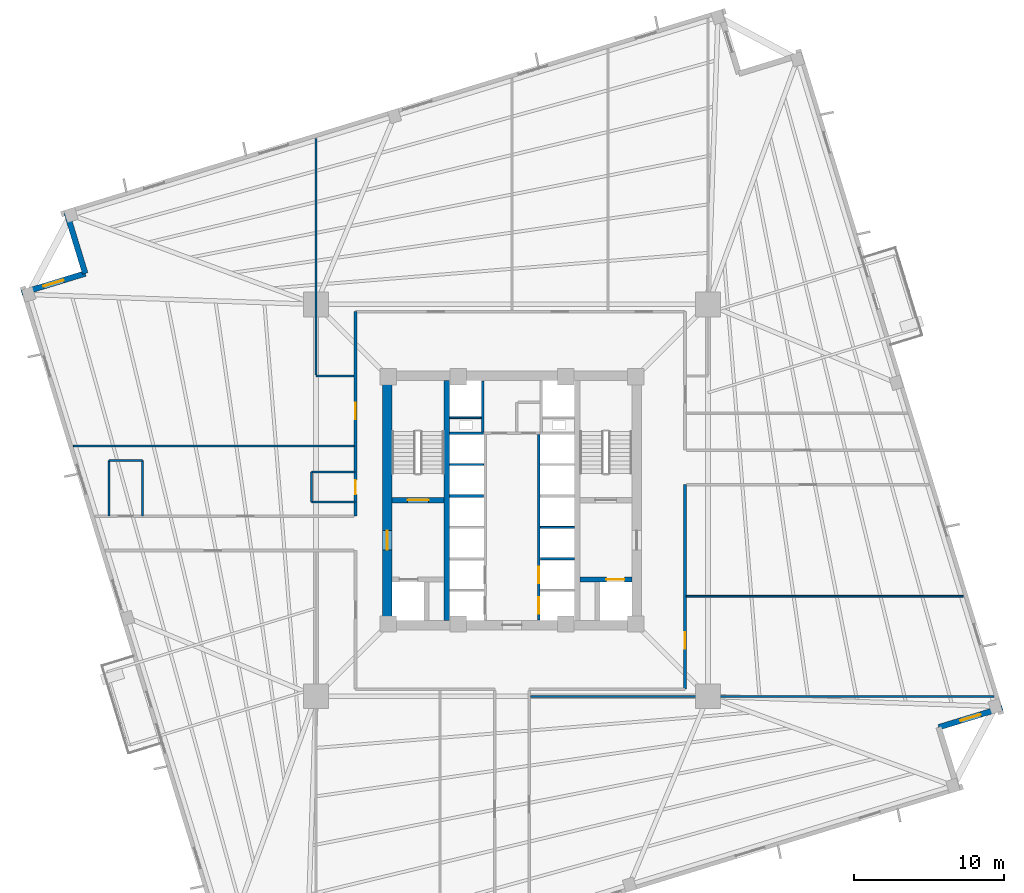
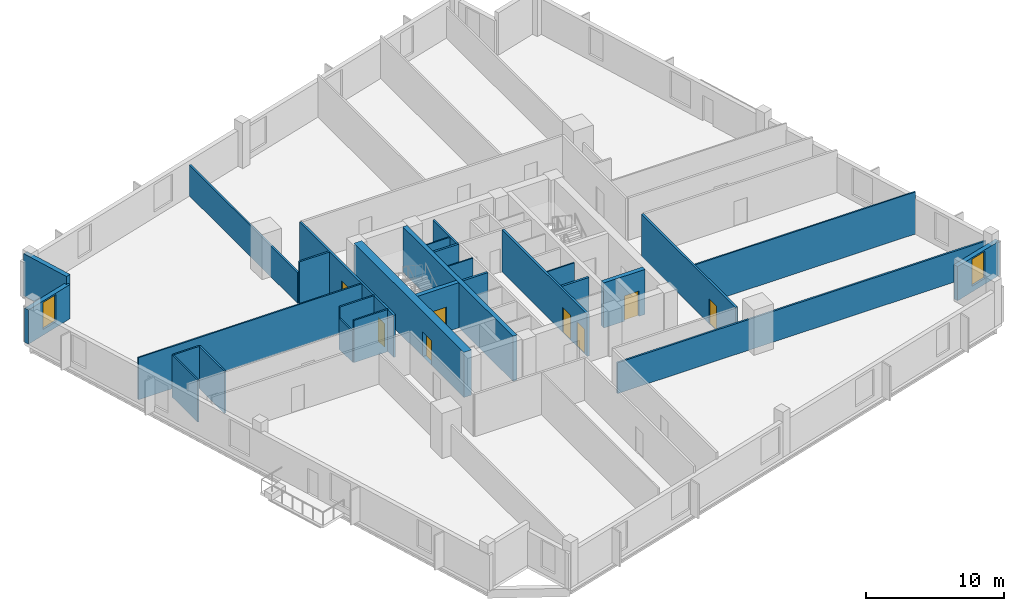
# One storey, part 4 of 9: 28 walls, 8 doors, 2 windows, 10 openings.
"""IFC4 building model written with IfcOpenShell, lengths in metres."""

from ifc_helpers import new_model, si_unit, direction, frame, frame_2d, origin, place, context, subcontext, project, spatial, rectangle, extrude, source, transform, mapped, material, layer, layer_set, type_object, element, fill, save


model = new_model("IFC4")

# Units and contexts
model_context = context("Model", 3, precision=1e-05, world=origin(), true_north=direction((0.0, 1.0)))
body_context = subcontext(model_context, "Body", "Model", "MODEL_VIEW")
ifc_project = project(units=[si_unit("LENGTHUNIT", "METRE"), si_unit("AREAUNIT", "SQUARE_METRE"), si_unit("VOLUMEUNIT", "CUBIC_METRE"), si_unit("PLANEANGLEUNIT", "RADIAN"), si_unit("MASSUNIT", "GRAM", prefix="KILO"), si_unit("THERMODYNAMICTEMPERATUREUNIT", "KELVIN")], contexts=[model_context])

# Site, building, storey
site_placement = place(None, origin())
site = spatial("IfcSite", under=ifc_project, at=site_placement, CompositionType="ELEMENT")
building_placement = place(site_placement, origin())
building = spatial("IfcBuilding", under=site, at=building_placement, Name="Kosmvard Interchange Tower", CompositionType="ELEMENT")
storey_placement = place(building_placement, frame((0.0, 0.0, 119.199951171875)))
storey = spatial("IfcBuildingStorey", under=building, at=storey_placement, Name="L28", CompositionType="ELEMENT", Elevation=119.199951171875)

# Walls
ifc_material_1 = material(Name="Acoustic gypsum partition system")
ifc_layer_1 = layer(ifc_material_1, 0.14990234375, Name="Acoustic gypsum partition system")
ifc_layer_set_1 = layer_set([ifc_layer_1], Name="Acoustic gypsum partition system")
wall_type_1 = type_object("IfcWallType", Name="Acoustic Suite & Meeting Partition 150", PredefinedType="PARTITIONING", material=ifc_layer_set_1)
wall_1_placement = place(storey_placement, frame((-10.544921875, 8.300048828125, 0.0), z_axis=(0.0, 0.0, 1.0), x_axis=(-1.0, 0.0, 0.0)))
element("IfcWall", 1, at=wall_1_placement, inside=storey, type_object=wall_type_1, Name="L28 Room Partition 01.1", PredefinedType="PARTITIONING", context=body_context, shape_type="SweptSolid", body=[
    extrude(rectangle(XDim=2.5361328125, YDim=0.14990234375, at=frame_2d((1.26806640625, 0.0))), origin(), (0.0, 0.0, 1.0), 3.739990234375),
])
wall_2_placement = place(storey_placement, frame((-13.0810546875, 8.375, 0.0), z_axis=(0.0, 0.0, 1.0), x_axis=(0.0, 1.0, 0.0)))
element("IfcWall", 2, at=wall_2_placement, inside=storey, type_object=wall_type_1, Name="L28 Room Partition 02.1", PredefinedType="PARTITIONING", context=body_context, shape_type="SweptSolid", body=[
    extrude(rectangle(XDim=15.79150390625, YDim=0.14990234375, at=frame_2d((7.895751953125, 0.0))), origin(), (0.0, 0.0, 1.0), 2.73193359375),
])
wall_3_placement = place(storey_placement, frame((1.2451171875, -13.0810546875, 0.0), z_axis=(0.0, 0.0, 1.0), x_axis=(1.0, 0.0, 0.0)))
element("IfcWall", 3, at=wall_3_placement, inside=storey, type_object=wall_type_1, Name="L28 Room Partition 09.1", PredefinedType="PARTITIONING", context=body_context, shape_type="SweptSolid", body=[
    extrude(rectangle(XDim=30.919921875, YDim=0.14990234375, at=frame_2d((15.4599609375, 0.0))), origin(), (0.0, 0.0, 1.0), 2.73193359375),
])
ifc_material_2 = material(Name="Fire-rated gypsum partition system")
ifc_layer_2 = layer(ifc_material_2, 0.159912109375, Name="Fire-rated gypsum partition system")
ifc_layer_set_2 = layer_set([ifc_layer_2], Name="Fire-rated gypsum partition system")
wall_type_2 = type_object("IfcWallType", Name="Core Compartment & Shuttle Lobby Partition 160", PredefinedType="PARTITIONING", material=ifc_layer_set_2)
wall_4_placement = place(storey_placement, frame((-1.9599609375, 4.580078125, 0.0), z_axis=(0.0, 0.0, 1.0), x_axis=(0.0, 1.0, 0.0)))
element("IfcWall", 4, at=wall_4_placement, inside=storey, type_object=wall_type_2, Name="L28 North Core West Wall", PredefinedType="PARTITIONING", context=body_context, shape_type="SweptSolid", body=[
    extrude(rectangle(XDim=3.39990234375, YDim=0.159912109375, at=frame_2d((1.699951171875, 0.0))), origin(), (0.0, 0.0, 1.0), 3.739990234375),
])

# Wall, openings, doors
ifc_layer_3 = layer(ifc_material_2, 0.179931640625, Name="Fire-rated gypsum partition system")
ifc_layer_set_3 = layer_set([ifc_layer_3], Name="Fire-rated gypsum partition system")
wall_type_3 = type_object("IfcWallType", Name="Corridor & Hotel Compartment Partition 180", PredefinedType="PARTITIONING", material=ifc_layer_set_3)
wall_5_placement = place(storey_placement, frame((1.7900390625, -7.97998046875, 0.0), z_axis=(0.0, 0.0, 1.0), x_axis=(0.0, 1.0, 0.0)))
wall_5 = element("IfcWall", 5, at=wall_5_placement, inside=storey, type_object=wall_type_3, Name="L28 East Lift Bank Front Wall", PredefinedType="PARTITIONING", context=body_context, shape_type="SweptSolid", body=[
    extrude(rectangle(XDim=12.3798828125, YDim=0.179931640625, at=frame_2d((6.18994140625, 0.0))), origin(), (0.0, 0.0, 1.0), 3.739990234375),
])
opening_1_placement = place(wall_5_placement, frame((0.39990234375, 0.0, 0.0)))
opening_1 = element("IfcOpeningElement", 6, at=opening_1_placement, cuts=wall_5, Name="Opening LD-PL-L3-L28", PredefinedType="OPENING", context=body_context, shape_type="SweptSolid", body=[
    extrude(rectangle(XDim=1.10009765625, YDim=2.199951171875, at=frame_2d((0.550048828125, 1.10009765625))), frame((0.0, 0.10009765625, 0.0), z_axis=(0.0, -1.0, 0.0), x_axis=(1.0, 0.0, 0.0)), (0.0, 0.0, 1.0), 0.199951171875),
])
opening_2_placement = place(wall_5_placement, frame((2.4599609375, 0.0, 0.0)))
opening_2 = element("IfcOpeningElement", 7, at=opening_2_placement, cuts=wall_5, Name="Opening LD-PL-L4-L28", PredefinedType="OPENING", context=body_context, shape_type="SweptSolid", body=[
    extrude(rectangle(XDim=1.10009765625, YDim=2.199951171875, at=frame_2d((0.550048828125, 1.10009765625))), frame((0.0, 0.10009765625, 0.0), z_axis=(0.0, -1.0, 0.0), x_axis=(1.0, 0.0, 0.0)), (0.0, 0.0, 1.0), 0.199951171875),
])
ifc_material_3 = material(Name="Brushed stainless steel sliding leaf", Category="steel")
door_type_1 = type_object("IfcDoorType", Name="Passenger Lift Sliding Landing Door 1100x2200 EI60", OperationType="DOUBLE_DOOR_SLIDING", PredefinedType="DOOR", material=ifc_material_3)
shared_shape_1 = source(origin(), body_context, "Body", "SweptSolid", [
    extrude(rectangle(XDim=1.10009765625, YDim=2.199951171875, at=frame_2d((0.550048828125, 1.10009765625))), frame((0.0, 0.02490234375, 0.0), z_axis=(0.0, -1.0, 0.0), x_axis=(1.0, 0.0, 0.0)), (0.0, 0.0, 1.0), 0.050048828125),
])
door_1_placement = place(opening_1_placement, origin())
door_1 = element("IfcDoor", 8, at=door_1_placement, inside=storey, type_object=door_type_1, Name="Lift PL-L3 Landing Door L28", OperationType="DOUBLE_DOOR_SLIDING", OverallHeight=2.199951171875, OverallWidth=1.10009765625, PredefinedType="DOOR", context=body_context, shape_type="MappedRepresentation", body=[
    mapped(shared_shape_1, transform((0.0, 0.0, 0.0), scale=1.0)),
])
fill(opening_1, door_1)
door_2_placement = place(opening_2_placement, origin())
door_2 = element("IfcDoor", 9, at=door_2_placement, inside=storey, type_object=door_type_1, Name="Lift PL-L4 Landing Door L28", OperationType="DOUBLE_DOOR_SLIDING", OverallHeight=2.199951171875, OverallWidth=1.10009765625, PredefinedType="DOOR", context=body_context, shape_type="MappedRepresentation", body=[
    mapped(shared_shape_1, transform((0.0, 0.0, 0.0), scale=1.0)),
])
fill(opening_2, door_2)

wall_6_placement = place(storey_placement, frame((-10.449951171875, -1.050048828125, 0.0), z_axis=(0.0, 0.0, 1.0), x_axis=(0.0, 1.0, 0.0)))
wall_6 = element("IfcWall", 10, at=wall_6_placement, inside=storey, type_object=wall_type_3, Name="L28 Corridor Wall CWN", PredefinedType="PARTITIONING", context=body_context, shape_type="SweptSolid", body=[
    extrude(rectangle(XDim=13.650146484375, YDim=0.179931640625, at=frame_2d((6.8251953125, 0.0))), origin(), (0.0, 0.0, 1.0), 3.739990234375),
])
opening_3_placement = place(wall_6_placement, frame((1.455078125, 0.0, 0.0)))
opening_3 = element("IfcOpeningElement", 11, at=opening_3_placement, cuts=wall_6, Name="Opening L28-D01", PredefinedType="OPENING", context=body_context, shape_type="SweptSolid", body=[
    extrude(rectangle(XDim=0.949951171875, YDim=2.10009765625, at=frame_2d((0.47509765625, 1.050048828125))), frame((0.0, 0.10009765625, 0.0), z_axis=(0.0, -1.0, 0.0), x_axis=(1.0, 0.0, 0.0)), (0.0, 0.0, 1.0), 0.199951171875),
])
opening_4_placement = place(wall_6_placement, frame((6.46240234375, 0.0, 0.0)))
opening_4 = element("IfcOpeningElement", 12, at=opening_4_placement, cuts=wall_6, Name="Opening L28-D04", PredefinedType="OPENING", context=body_context, shape_type="SweptSolid", body=[
    extrude(rectangle(XDim=1.10009765625, YDim=2.199951171875, at=frame_2d((0.550048828125, 1.10009765625))), frame((0.0, 0.10009765625, 0.0), z_axis=(0.0, -1.0, 0.0), x_axis=(1.0, 0.0, 0.0)), (0.0, 0.0, 1.0), 0.199951171875),
])
ifc_material_4 = material(Name="Laminated moisture-resistant timber", Category="wood")
door_type_2 = type_object("IfcDoorType", Name="Accessible Washroom Door 950x2100", OperationType="NOTDEFINED", PredefinedType="DOOR", material=ifc_material_4)
shared_shape_2 = source(origin(), body_context, "Body", "SweptSolid", [
    extrude(rectangle(XDim=0.949951171875, YDim=2.10009765625, at=frame_2d((0.47509765625, 1.050048828125))), frame((0.0, 0.02490234375, 0.0), z_axis=(0.0, -1.0, 0.0), x_axis=(1.0, 0.0, 0.0)), (0.0, 0.0, 1.0), 0.050048828125),
])
door_3_placement = place(opening_3_placement, origin())
door_3 = element("IfcDoor", 13, at=door_3_placement, inside=storey, type_object=door_type_2, Name="L28 Accessible Toilet Door", OperationType="SINGLE_SWING_LEFT", OverallHeight=2.10009765625, OverallWidth=0.949951171875, PredefinedType="DOOR", context=body_context, shape_type="MappedRepresentation", body=[
    mapped(shared_shape_2, transform((0.0, 0.0, 0.0), scale=1.0)),
])
fill(opening_3, door_3)
ifc_material_5 = material(Name="Engineered oak fire-rated timber", Category="wood")
door_type_3 = type_object("IfcDoorType", Name="Office Suite Entrance Door 1100x2200 FD30S", OperationType="NOTDEFINED", PredefinedType="DOOR", material=ifc_material_5)
door_4_placement = place(opening_4_placement, origin())
door_4 = element("IfcDoor", 14, at=door_4_placement, inside=storey, type_object=door_type_3, Name="L28 Document Vault Store Door", OperationType="SINGLE_SWING_RIGHT", OverallHeight=2.199951171875, OverallWidth=1.10009765625, PredefinedType="DOOR", context=body_context, shape_type="MappedRepresentation", body=[
    mapped(shared_shape_1, transform((0.0, 0.0, 0.0), scale=1.0)),
])
fill(opening_4, door_4)

# Wall, opening, door
wall_7_placement = place(storey_placement, frame((11.550048828125, -12.60009765625, 0.0), z_axis=(0.0, 0.0, 1.0), x_axis=(0.0, 1.0, 0.0)))
wall_7 = element("IfcWall", 15, at=wall_7_placement, inside=storey, type_object=wall_type_3, Name="L28 Corridor Wall CES", PredefinedType="PARTITIONING", context=body_context, shape_type="SweptSolid", body=[
    extrude(rectangle(XDim=13.650146484375, YDim=0.179931640625, at=frame_2d((6.8251953125, 0.0))), origin(), (0.0, 0.0, 1.0), 3.739990234375),
])
opening_5_placement = place(wall_7_placement, frame((2.71435546875, 0.0, 0.0)))
opening_5 = element("IfcOpeningElement", 16, at=opening_5_placement, cuts=wall_7, Name="Opening L28-D11", PredefinedType="OPENING", context=body_context, shape_type="SweptSolid", body=[
    extrude(rectangle(XDim=1.10009765625, YDim=2.199951171875, at=frame_2d((0.550048828125, 1.10009765625))), frame((0.0, 0.10009765625, 0.0), z_axis=(0.0, -1.0, 0.0), x_axis=(1.0, 0.0, 0.0)), (0.0, 0.0, 1.0), 0.199951171875),
])
door_5_placement = place(opening_5_placement, frame((1.10009765625, 0.0, 0.0), z_axis=(0.0, 0.0, 1.0), x_axis=(-1.0, 0.0, 0.0)))
door_5 = element("IfcDoor", 17, at=door_5_placement, inside=storey, type_object=door_type_3, Name="L28 East Hearing Room 4 Door", OperationType="SINGLE_SWING_LEFT", OverallHeight=2.199951171875, OverallWidth=1.10009765625, PredefinedType="DOOR", context=body_context, shape_type="MappedRepresentation", body=[
    mapped(shared_shape_1, transform((0.0, 0.0, 0.0), scale=1.0)),
])
fill(opening_5, door_5)

# Wall, opening, window
ifc_material_6 = material(Name="Precast concrete C45/55", Category="concrete")
ifc_layer_4 = layer(ifc_material_6, 0.3798828125, Name="Precast concrete C45/55")
ifc_layer_set_4 = layer_set([ifc_layer_4], Name="Precast concrete C45/55")
wall_type_4 = type_object("IfcWallType", Name="Lower Tower Precast Pier Wall 380 C45/55", PredefinedType="STANDARD", material=ifc_layer_set_4)
wall_8_placement = place(storey_placement, frame((28.482421875, -15.144287109375, 0.0), z_axis=(0.0, 0.0, 1.0), x_axis=(0.956304176051, 0.292373601522, 0.0)))
wall_8 = element("IfcWall", 18, at=wall_8_placement, inside=storey, type_object=wall_type_4, Name="L28 Precast Facade Wall N-SE2", PredefinedType="STANDARD", context=body_context, shape_type="SweptSolid", body=[
    extrude(rectangle(XDim=4.43994140625, YDim=0.3798828125, at=frame_2d((2.219970703125, 0.0))), origin(), (0.0, 0.0, 1.0), 3.0400390625),
])
opening_6_placement = place(wall_8_placement, frame((1.52001953125, 0.0, 0.510009765625)))
opening_6 = element("IfcOpeningElement", 19, at=opening_6_placement, cuts=wall_8, Name="Opening L28-W20", PredefinedType="OPENING", context=body_context, shape_type="SweptSolid", body=[
    extrude(rectangle(XDim=1.39990234375, YDim=2.39990234375, at=frame_2d((0.699951171875, 1.199951171875))), frame((0.0, 0.199951171875, 0.0), z_axis=(0.0, -1.0, 0.0), x_axis=(1.0, 0.0, 0.0)), (0.0, 0.0, 1.0), 0.39990234375),
])
ifc_material_7 = material(Name="Low-E solar-control double glazing", Category="glass")
window_type = type_object("IfcWindowType", Name="Notched Corner Feature Window 1400x2400", PartitioningType="SINGLE_PANEL", PredefinedType="WINDOW", material=ifc_material_7)
shared_shape_3 = source(origin(), body_context, "Body", "SweptSolid", [
    extrude(rectangle(XDim=1.39990234375, YDim=2.39990234375, at=frame_2d((0.699951171875, 1.199951171875))), frame((0.0, 0.030029296875, 0.0), z_axis=(0.0, -1.0, 0.0), x_axis=(1.0, 0.0, 0.0)), (0.0, 0.0, 1.0), 0.06005859375),
])
window_1_placement = place(opening_6_placement, origin())
window_1 = element("IfcWindow", 20, at=window_1_placement, inside=storey, type_object=window_type, Name="L28 Corner Notch Window 20", OverallHeight=2.39990234375, OverallWidth=1.39990234375, PartitioningType="SINGLE_PANEL", PredefinedType="WINDOW", context=body_context, shape_type="MappedRepresentation", body=[
    mapped(shared_shape_3, transform((0.0, 0.0, 0.0), scale=1.0)),
])
fill(opening_6, window_1)

# Wall
wall_9_placement = place(storey_placement, frame((-29.724853515625, 19.20849609375, 0.0), z_axis=(0.0, 0.0, 1.0), x_axis=(0.292345507338, -0.956312764915, 0.0)))
element("IfcWall", 21, at=wall_9_placement, inside=storey, type_object=wall_type_4, Name="L28 Precast Facade Wall N-NW1", PredefinedType="STANDARD", context=body_context, shape_type="SweptSolid", body=[
    extrude(rectangle(XDim=4.249755859375, YDim=0.3798828125, at=frame_2d((2.125, 0.0))), origin(), (0.0, 0.0, 1.0), 3.739990234375),
])

# Wall, opening, window
wall_10_placement = place(storey_placement, frame((-28.482421875, 15.144287109375, 0.0), z_axis=(0.0, 0.0, 1.0), x_axis=(-0.956304176051, -0.292373601522, 0.0)))
wall_10 = element("IfcWall", 22, at=wall_10_placement, inside=storey, type_object=wall_type_4, Name="L28 Precast Facade Wall N-NW2", PredefinedType="STANDARD", context=body_context, shape_type="SweptSolid", body=[
    extrude(rectangle(XDim=4.43994140625, YDim=0.3798828125, at=frame_2d((2.219970703125, 0.0))), origin(), (0.0, 0.0, 1.0), 3.0400390625),
])
opening_7_placement = place(wall_10_placement, frame((1.52001953125, 0.0, 0.510009765625)))
opening_7 = element("IfcOpeningElement", 23, at=opening_7_placement, cuts=wall_10, Name="Opening L28-W22", PredefinedType="OPENING", context=body_context, shape_type="SweptSolid", body=[
    extrude(rectangle(XDim=1.39990234375, YDim=2.39990234375, at=frame_2d((0.699951171875, 1.199951171875))), frame((0.0, 0.199951171875, 0.0), z_axis=(0.0, -1.0, 0.0), x_axis=(1.0, 0.0, 0.0)), (0.0, 0.0, 1.0), 0.39990234375),
])
window_2_placement = place(opening_7_placement, origin())
window_2 = element("IfcWindow", 24, at=window_2_placement, inside=storey, type_object=window_type, Name="L28 Corner Notch Window 22", OverallHeight=2.39990234375, OverallWidth=1.39990234375, PartitioningType="SINGLE_PANEL", PredefinedType="WINDOW", context=body_context, shape_type="MappedRepresentation", body=[
    mapped(shared_shape_3, transform((0.0, 0.0, 0.0), scale=1.0)),
])
fill(opening_7, window_2)

# Wall, opening, door
ifc_material_8 = material(Name="Concrete C70/85", Category="concrete")
ifc_layer_5 = layer(ifc_material_8, 0.64990234375, Name="Concrete C70/85")
ifc_layer_set_5 = layer_set([ifc_layer_5], Name="Concrete C70/85")
wall_type_5 = type_object("IfcWallType", Name="Mid Core Shear Wall 650 C70/85", PredefinedType="SHEAR", material=ifc_layer_set_5)
wall_11_placement = place(storey_placement, frame((-8.324951171875, -8.0, 0.0), z_axis=(0.0, 0.0, 1.0), x_axis=(0.0, 1.0, 0.0)))
wall_11 = element("IfcWall", 25, at=wall_11_placement, inside=storey, type_object=wall_type_5, Name="L28 Core Shear Wall CW-W", PredefinedType="SHEAR", context=body_context, shape_type="SweptSolid", body=[
    extrude(rectangle(XDim=16.0, YDim=0.64990234375, at=frame_2d((8.0, 0.0))), origin(), (0.0, 0.0, 1.0), 4.0),
])
opening_8_placement = place(wall_11_placement, frame((4.68994140625, 0.0, 0.0)))
opening_8 = element("IfcOpeningElement", 26, at=opening_8_placement, cuts=wall_11, Name="Opening L28-FD1", PredefinedType="OPENING", context=body_context, shape_type="SweptSolid", body=[
    extrude(rectangle(XDim=1.300048828125, YDim=2.199951171875, at=frame_2d((0.64990234375, 1.10009765625))), frame((0.0, 0.3349609375, 0.0), z_axis=(0.0, -1.0, 0.0), x_axis=(1.0, 0.0, 0.0)), (0.0, 0.0, 1.0), 0.669921875),
])
ifc_material_9 = material(Name="Painted fire-rated steel leaf", Category="steel")
door_type_4 = type_object("IfcDoorType", Name="Firefighting Lobby Door 1300x2200 EI60", OperationType="NOTDEFINED", PredefinedType="DOOR", material=ifc_material_9)
shared_shape_4 = source(origin(), body_context, "Body", "SweptSolid", [
    extrude(rectangle(XDim=1.300048828125, YDim=2.199951171875, at=frame_2d((0.64990234375, 1.10009765625))), frame((0.0, 0.02490234375, 0.0), z_axis=(0.0, -1.0, 0.0), x_axis=(1.0, 0.0, 0.0)), (0.0, 0.0, 1.0), 0.050048828125),
])
door_6_placement = place(opening_8_placement, frame((1.300048828125, 0.0, 0.0), z_axis=(0.0, 0.0, 1.0), x_axis=(-1.0, 0.0, 0.0)))
door_6 = element("IfcDoor", 27, at=door_6_placement, inside=storey, type_object=door_type_4, Name="L28 Firefighting Lobby West Door", OperationType="SINGLE_SWING_LEFT", OverallHeight=2.199951171875, OverallWidth=1.300048828125, PredefinedType="DOOR", context=body_context, shape_type="MappedRepresentation", body=[
    mapped(shared_shape_4, transform((0.0, 0.0, 0.0), scale=1.0)),
])
fill(opening_8, door_6)

# Walls
ifc_material_10 = material(Name="Gypsum board partition system")
ifc_layer_6 = layer(ifc_material_10, 0.1201171875, Name="Gypsum board partition system")
ifc_layer_set_6 = layer_set([ifc_layer_6], Name="Gypsum board partition system")
wall_type_6 = type_object("IfcWallType", Name="Office Cellular Partition 120", PredefinedType="PARTITIONING", material=ifc_layer_set_6)
wall_12_placement = place(storey_placement, frame((-29.27392578125, 3.625, 0.0), z_axis=(0.0, 0.0, 1.0), x_axis=(1.0, 0.0, 0.0)))
element("IfcWall", 28, at=wall_12_placement, inside=storey, type_object=wall_type_6, Name="L28 Room Partition 07.1", PredefinedType="PARTITIONING", context=body_context, shape_type="SweptSolid", body=[
    extrude(rectangle(XDim=18.72900390625, YDim=0.1201171875, at=frame_2d((9.364501953125, 0.0))), origin(), (0.0, 0.0, 1.0), 3.739990234375),
])
wall_13_placement = place(storey_placement, frame((11.64501953125, -6.39990234375, 0.0), z_axis=(0.0, 0.0, 1.0), x_axis=(1.0, 0.0, 0.0)))
element("IfcWall", 29, at=wall_13_placement, inside=storey, type_object=wall_type_6, Name="L28 Room Partition 10.1", PredefinedType="PARTITIONING", context=body_context, shape_type="SweptSolid", body=[
    extrude(rectangle(XDim=18.477294921875, YDim=0.1201171875, at=frame_2d((9.23876953125, 0.0))), origin(), (0.0, 0.0, 1.0), 3.739990234375),
])
ifc_material_11 = material(Name="Concrete blockwork masonry", Category="masonry")
ifc_layer_7 = layer(ifc_material_11, 0.179931640625, Name="Concrete blockwork masonry")
ifc_layer_set_7 = layer_set([ifc_layer_7], Name="Concrete blockwork masonry")
wall_type_7 = type_object("IfcWallType", Name="Riser & Lift Bank Divider Wall 180", PredefinedType="PARTITIONING", material=ifc_layer_set_7)
for number, where, z_axis, x_axis, name in (
    (30, (1.889892578125, -3.89990234375, 0.0), (0.0, 0.0, 1.0), (1.0, 0.0, 0.0), "L28 East Bank Divider BD1"),
    (31, (-4.169921875, 0.300048828125, 0.0), (0.0, 0.0, 1.0), (1.0, 0.0, 0.0), "L28 West Bank Divider BD2"),
    (32, (-4.169921875, 4.489990234375, 0.0), (0.0, 0.0, 1.0), (1.0, 0.0, 0.0), "L28 West Bank Divider BD3"),
):
    element("IfcWall", number, at=place(storey_placement, frame(where, z_axis=z_axis, x_axis=x_axis)), inside=storey, type_object=wall_type_7, Name=name, PredefinedType="PARTITIONING", context=body_context, shape_type="SweptSolid", body=[
        extrude(rectangle(XDim=2.280029296875, YDim=0.179931640625, at=frame_2d((1.14013671875, 0.0))), origin(), (0.0, 0.0, 1.0), 3.739990234375),
    ])
ifc_material_12 = material(Name="Fire-rated gypsum shaftwall system")
ifc_layer_8 = layer(ifc_material_12, 0.1201171875, Name="Fire-rated gypsum shaftwall system")
ifc_layer_set_8 = layer_set([ifc_layer_8], Name="Fire-rated gypsum shaftwall system")
wall_type_8 = type_object("IfcWallType", Name="Shaft & Riser Fire Partition 120 EI60", PredefinedType="PARTITIONING", material=ifc_layer_set_8)
for number, where, z_axis, x_axis, name in (
    (33, (1.89990234375, -1.800048828125, 0.0), (0.0, 0.0, 1.0), (1.0, 0.0, 0.0), "L28 Shaft Divider PL-M3"),
    (34, (-4.159912109375, 2.39990234375, 0.0), (0.0, 0.0, 1.0), (1.0, 0.0, 0.0), "L28 Shaft Divider PL-H1"),
):
    element("IfcWall", number, at=place(storey_placement, frame(where, z_axis=z_axis, x_axis=x_axis)), inside=storey, type_object=wall_type_8, Name=name, PredefinedType="PARTITIONING", context=body_context, shape_type="SweptSolid", body=[
        extrude(rectangle(XDim=2.260009765625, YDim=0.1201171875, at=frame_2d((1.1298828125, 0.0))), origin(), (0.0, 0.0, 1.0), 3.739990234375),
    ])
wall_14_placement = place(storey_placement, frame((-4.159912109375, 5.52001953125, 0.0), z_axis=(0.0, 0.0, 1.0), x_axis=(1.0, 0.0, 0.0)))
element("IfcWall", 35, at=wall_14_placement, inside=storey, type_object=wall_type_8, Name="L28 Riser Shaft Divider W", PredefinedType="PARTITIONING", context=body_context, shape_type="SweptSolid", body=[
    extrude(rectangle(XDim=2.099853515625, YDim=0.1201171875, at=frame_2d((1.0498046875, 0.0))), origin(), (0.0, 0.0, 1.0), 3.739990234375),
])
ifc_material_13 = material(Name="Concrete C60/75", Category="concrete")
ifc_layer_9 = layer(ifc_material_13, 0.360107421875, Name="Concrete C60/75")
ifc_layer_set_9 = layer_set([ifc_layer_9], Name="Concrete C60/75")
wall_type_9 = type_object("IfcWallType", Name="Stair & Lift Shaft Shear Wall 360 C60/75", PredefinedType="SHEAR", material=ifc_layer_set_9)
wall_15_placement = place(storey_placement, frame((-4.360107421875, -8.0, 0.0), z_axis=(0.0, 0.0, 1.0), x_axis=(0.0, 1.0, 0.0)))
element("IfcWall", 36, at=wall_15_placement, inside=storey, type_object=wall_type_9, Name="L28 Shaft Shear Wall SW-W", PredefinedType="SHEAR", context=body_context, shape_type="SweptSolid", body=[
    extrude(rectangle(XDim=16.0, YDim=0.360107421875, at=frame_2d((8.0, 0.0))), origin(), (0.0, 0.0, 1.0), 4.0),
])

# Wall, opening, door
wall_16_placement = place(storey_placement, frame((-8.0, 0.02001953125, 0.0), z_axis=(0.0, 0.0, 1.0), x_axis=(1.0, 0.0, 0.0)))
wall_16 = element("IfcWall", 37, at=wall_16_placement, inside=storey, type_object=wall_type_9, Name="L28 Shaft Shear Wall SW-ST1", PredefinedType="SHEAR", context=body_context, shape_type="SweptSolid", body=[
    extrude(rectangle(XDim=3.4599609375, YDim=0.360107421875, at=frame_2d((1.72998046875, 0.0))), origin(), (0.0, 0.0, 1.0), 4.0),
])
opening_9_placement = place(wall_16_placement, frame((1.030029296875, 0.0, 0.0)))
opening_9 = element("IfcOpeningElement", 38, at=opening_9_placement, cuts=wall_16, Name="Opening L28-SD1", PredefinedType="OPENING", context=body_context, shape_type="SweptSolid", body=[
    extrude(rectangle(XDim=1.39990234375, YDim=2.199951171875, at=frame_2d((0.699951171875, 1.10009765625))), frame((0.0, 0.18994140625, 0.0), z_axis=(0.0, -1.0, 0.0), x_axis=(1.0, 0.0, 0.0)), (0.0, 0.0, 1.0), 0.380126953125),
])
door_type_5 = type_object("IfcDoorType", Name="Protected Stair Door 1400x2200 FD60S", OperationType="NOTDEFINED", PredefinedType="DOOR", material=ifc_material_9)
shared_shape_5 = source(origin(), body_context, "Body", "SweptSolid", [
    extrude(rectangle(XDim=1.39990234375, YDim=2.199951171875, at=frame_2d((0.699951171875, 1.10009765625))), frame((0.0, 0.02490234375, 0.0), z_axis=(0.0, -1.0, 0.0), x_axis=(1.0, 0.0, 0.0)), (0.0, 0.0, 1.0), 0.050048828125),
])
door_7_placement = place(opening_9_placement, origin())
door_7 = element("IfcDoor", 39, at=door_7_placement, inside=storey, type_object=door_type_5, Name="L28 Stair ST-1 Enclosure Door", OperationType="SINGLE_SWING_LEFT", OverallHeight=2.199951171875, OverallWidth=1.39990234375, PredefinedType="DOOR", context=body_context, shape_type="MappedRepresentation", body=[
    mapped(shared_shape_5, transform((0.0, 0.0, 0.0), scale=1.0)),
])
fill(opening_9, door_7)

wall_17_placement = place(storey_placement, frame((4.5400390625, -5.280029296875, 0.0), z_axis=(0.0, 0.0, 1.0), x_axis=(1.0, 0.0, 0.0)))
wall_17 = element("IfcWall", 40, at=wall_17_placement, inside=storey, type_object=wall_type_9, Name="L28 Shaft Shear Wall SW-FF2", PredefinedType="SHEAR", context=body_context, shape_type="SweptSolid", body=[
    extrude(rectangle(XDim=3.4599609375, YDim=0.360107421875, at=frame_2d((1.72998046875, 0.0))), origin(), (0.0, 0.0, 1.0), 4.0),
])
opening_10_placement = place(wall_17_placement, frame((1.760009765625, 0.0, 0.0)))
opening_10 = element("IfcOpeningElement", 41, at=opening_10_placement, cuts=wall_17, Name="Opening LD-FF-2-L28", PredefinedType="OPENING", context=body_context, shape_type="SweptSolid", body=[
    extrude(rectangle(XDim=1.199951171875, YDim=2.25, at=frame_2d((0.60009765625, 1.125))), frame((0.0, 0.18994140625, 0.0), z_axis=(0.0, -1.0, 0.0), x_axis=(1.0, 0.0, 0.0)), (0.0, 0.0, 1.0), 0.380126953125),
])
door_type_6 = type_object("IfcDoorType", Name="Firefighting Lift Sliding Landing Door 1200x2250 EI120", OperationType="DOUBLE_DOOR_SLIDING", PredefinedType="DOOR", material=ifc_material_3)
shared_shape_6 = source(origin(), body_context, "Body", "SweptSolid", [
    extrude(rectangle(XDim=1.199951171875, YDim=2.25, at=frame_2d((0.60009765625, 1.125))), frame((0.0, 0.02490234375, 0.0), z_axis=(0.0, -1.0, 0.0), x_axis=(1.0, 0.0, 0.0)), (0.0, 0.0, 1.0), 0.050048828125),
])
door_8_placement = place(opening_10_placement, origin())
door_8 = element("IfcDoor", 42, at=door_8_placement, inside=storey, type_object=door_type_6, Name="Lift FF-2 Landing Door L28", OperationType="DOUBLE_DOOR_SLIDING", OverallHeight=2.25, OverallWidth=1.199951171875, PredefinedType="DOOR", context=body_context, shape_type="MappedRepresentation", body=[
    mapped(shared_shape_6, transform((0.0, 0.0, 0.0), scale=1.0)),
])
fill(opening_10, door_8)

# Walls
ifc_material_14 = material(Name="Moisture-resistant gypsum partition")
ifc_layer_10 = layer(ifc_material_14, 0.135009765625, Name="Moisture-resistant gypsum partition")
ifc_layer_set_10 = layer_set([ifc_layer_10], Name="Moisture-resistant gypsum partition")
wall_type_10 = type_object("IfcWallType", Name="Wet Room Moisture-Resistant Partition 135", PredefinedType="PARTITIONING", material=ifc_layer_set_10)
for number, where, z_axis, x_axis, name in (
    (43, (-13.3701171875, -0.1201171875, 0.0), (0.0, 0.0, 1.0), (1.0, 0.0, 0.0), "L28 Washroom Partition AWC1-S"),
    (44, (-13.3701171875, 1.8798828125, 0.0), (0.0, 0.0, 1.0), (1.0, 0.0, 0.0), "L28 Washroom Partition AWC1-N"),
):
    element("IfcWall", number, at=place(storey_placement, frame(where, z_axis=z_axis, x_axis=x_axis)), inside=storey, type_object=wall_type_10, Name=name, PredefinedType="PARTITIONING", context=body_context, shape_type="SweptSolid", body=[
        extrude(rectangle(XDim=2.900146484375, YDim=0.135009765625, at=frame_2d((1.4501953125, 0.0))), origin(), (0.0, 0.0, 1.0), 3.739990234375),
    ])
wall_18_placement = place(storey_placement, frame((-13.3701171875, -0.1201171875, 0.0), z_axis=(0.0, 0.0, 1.0), x_axis=(0.0, 1.0, 0.0)))
element("IfcWall", 45, at=wall_18_placement, inside=storey, type_object=wall_type_10, Name="L28 Washroom Partition AWC1-W", PredefinedType="PARTITIONING", context=body_context, shape_type="SweptSolid", body=[
    extrude(rectangle(XDim=2.0, YDim=0.135009765625, at=frame_2d((1.0, 0.0))), origin(), (0.0, 0.0, 1.0), 2.73193359375),
])
wall_19_placement = place(storey_placement, frame((-24.664794921875, -1.030029296875, 0.0), z_axis=(0.0, 0.0, 1.0), x_axis=(0.0, 1.0, 0.0)))
element("IfcWall", 46, at=wall_19_placement, inside=storey, type_object=wall_type_10, Name="L28 Washroom Partition WC1-E", PredefinedType="PARTITIONING", context=body_context, shape_type="SweptSolid", body=[
    extrude(rectangle(XDim=3.699951171875, YDim=0.135009765625, at=frame_2d((1.85009765625, 0.0))), origin(), (0.0, 0.0, 1.0), 3.739990234375),
])
wall_20_placement = place(storey_placement, frame((-26.914794921875, 2.669921875, 0.0), z_axis=(0.0, 0.0, 1.0), x_axis=(1.0, 0.0, 0.0)))
element("IfcWall", 47, at=wall_20_placement, inside=storey, type_object=wall_type_10, Name="L28 Washroom Partition WC1-N", PredefinedType="PARTITIONING", context=body_context, shape_type="SweptSolid", body=[
    extrude(rectangle(XDim=2.25, YDim=0.135009765625, at=frame_2d((1.125, 0.0))), origin(), (0.0, 0.0, 1.0), 3.739990234375),
])
wall_21_placement = place(storey_placement, frame((-26.914794921875, -1.030029296875, 0.0), z_axis=(0.0, 0.0, 1.0), x_axis=(0.0, 1.0, 0.0)))
element("IfcWall", 48, at=wall_21_placement, inside=storey, type_object=wall_type_10, Name="L28 Washroom Partition WC1-W", PredefinedType="PARTITIONING", context=body_context, shape_type="SweptSolid", body=[
    extrude(rectangle(XDim=3.699951171875, YDim=0.135009765625, at=frame_2d((1.85009765625, 0.0))), origin(), (0.0, 0.0, 1.0), 3.739990234375),
])

save(model, "model.ifc")
